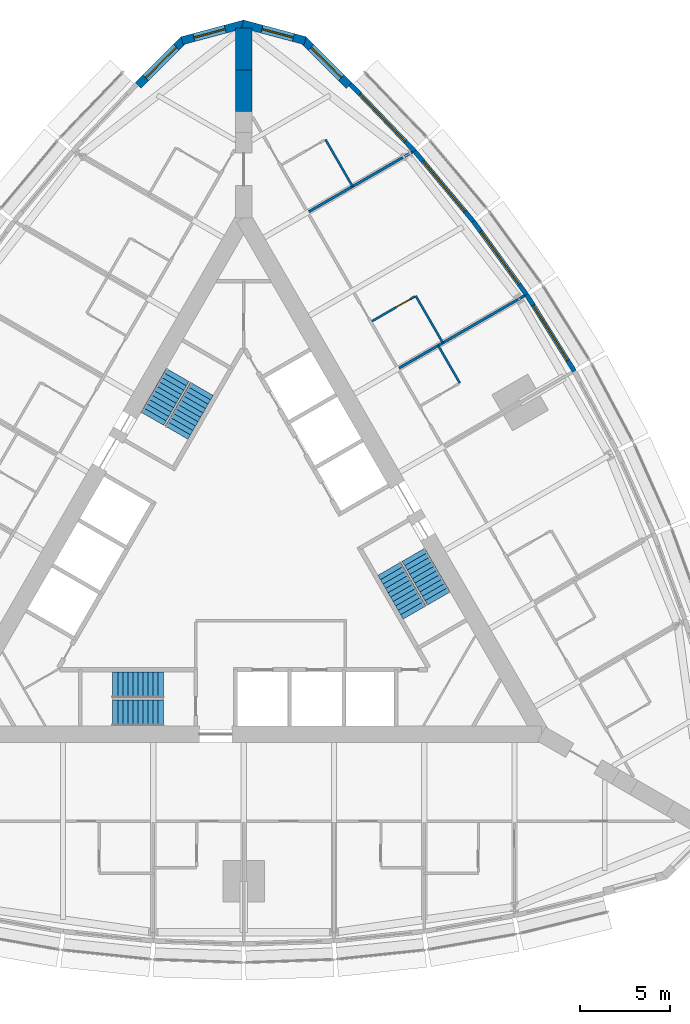
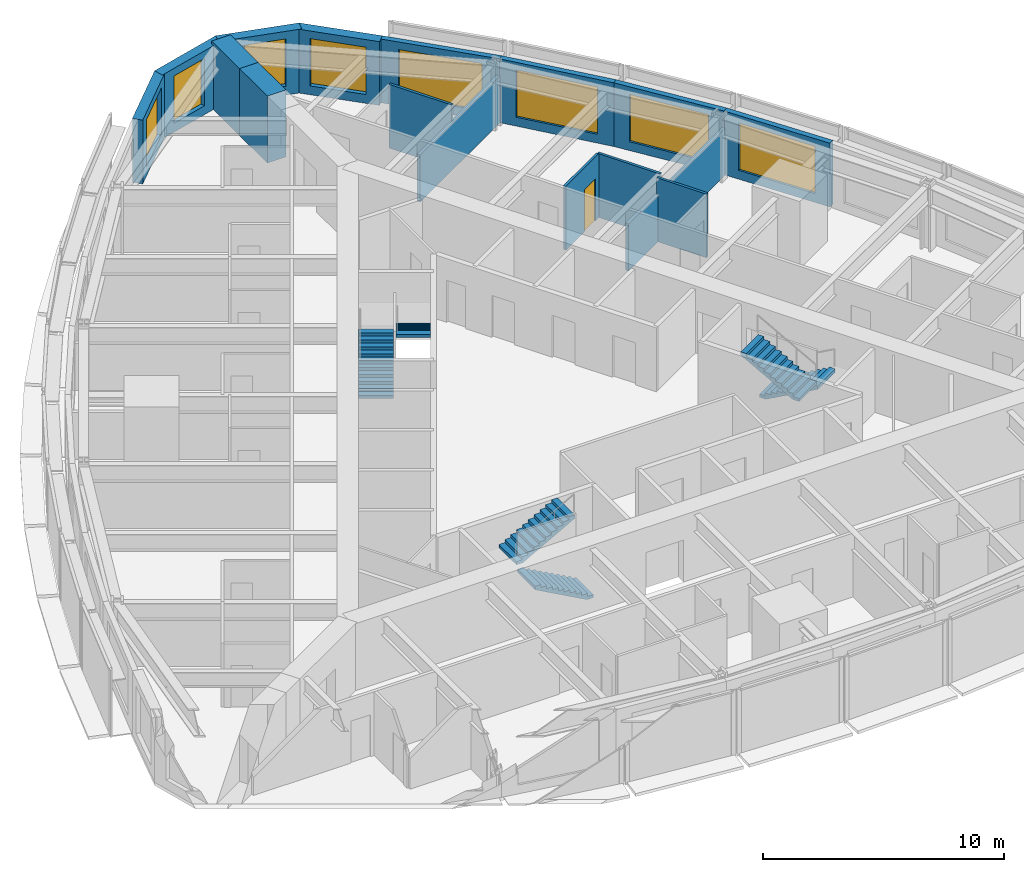
# One storey, part 13 of 14: 16 walls, 8 windows, 6 stair flights, 1 door, 9 openings, 3 elements without a shape of their own.
"""IFC4 building model written with IfcOpenShell, lengths in metres."""

from ifc_helpers import new_model, si_unit, direction, frame, frame_2d, origin, place, context, subcontext, project, spatial, polyline, rectangle, outline, extrude, material, layer, layer_set, type_object, element, fill, aggregate, save


model = new_model("IFC4")

# Units and contexts
model_context = context("Model", 3, precision=1e-05, world=origin(), true_north=direction((0.0, 1.0)))
body_context = subcontext(model_context, "Body", "Model", "MODEL_VIEW")
ifc_project = project(units=[si_unit("LENGTHUNIT", "METRE"), si_unit("AREAUNIT", "SQUARE_METRE"), si_unit("VOLUMEUNIT", "CUBIC_METRE"), si_unit("PLANEANGLEUNIT", "RADIAN"), si_unit("MASSUNIT", "GRAM", prefix="KILO")], contexts=[model_context])

# Site, building, storey
site_placement = place(None, origin())
site = spatial("IfcSite", under=ifc_project, at=site_placement, CompositionType="ELEMENT")
building_placement = place(site_placement, origin())
building = spatial("IfcBuilding", under=site, at=building_placement, Name="Trikona Tower", CompositionType="ELEMENT")
storey_placement = place(building_placement, frame((0.0, 0.0, 128.300048828125)))
storey = spatial("IfcBuildingStorey", under=building, at=storey_placement, Name="L33", CompositionType="ELEMENT", Elevation=128.300048828125)

# Walls
ifc_material_1 = material(Name="Metal stud and cement board", Category="gypsum")
ifc_layer_1 = layer(ifc_material_1, 0.1201171875)
ifc_layer_set_1 = layer_set([ifc_layer_1], Name="Bathroom wall 120")
wall_type_1 = type_object("IfcWallType", Name="Bathroom wall 120", PredefinedType="PLUMBINGWALL", material=ifc_layer_set_1)
wall_1_placement = place(storey_placement, frame((11.972900390625, 9.914794921875, 0.0), z_axis=(0.0, 0.0, 1.0), x_axis=(-0.499957262057, 0.866050077142, 0.0)))
element("IfcWall", 1, at=wall_1_placement, inside=storey, type_object=wall_type_1, Name="Bathroom wall 3309", PredefinedType="PLUMBINGWALL", context=body_context, shape_type="SweptSolid", body=[
    extrude(rectangle(XDim=2.400146484375, YDim=0.1201171875, at=frame_2d((1.2001953125, 0.0))), origin(), (0.0, 0.0, 1.0), 3.23486328125),
])
wall_2_placement = place(storey_placement, frame((11.03271484375, 12.143310546875, 0.0), z_axis=(0.0, 0.0, 1.0), x_axis=(-0.50002537861, 0.866010750942, 0.0)))
element("IfcWall", 2, at=wall_2_placement, inside=storey, type_object=wall_type_1, Name="Bathroom wall 3310", PredefinedType="PLUMBINGWALL", context=body_context, shape_type="SweptSolid", body=[
    extrude(rectangle(XDim=2.999755859375, YDim=0.1201171875, at=frame_2d((1.5, 0.0))), origin(), (0.0, 0.0, 1.0), 3.23486328125),
])

# Wall, opening, door
wall_3_placement = place(storey_placement, frame((7.10791015625, 13.34130859375, 0.0), z_axis=(0.0, 0.0, 1.0), x_axis=(0.866035715982, 0.499982138324, 0.0)))
wall_3 = element("IfcWall", 3, at=wall_3_placement, inside=storey, type_object=wall_type_1, Name="Bathroom wall 3310", PredefinedType="PLUMBINGWALL", context=body_context, shape_type="SweptSolid", body=[
    extrude(rectangle(XDim=2.73974609375, YDim=0.1201171875, at=frame_2d((1.369873046875, 0.0))), origin(), (0.0, 0.0, 1.0), 3.23486328125),
])
opening_1_placement = place(wall_3_placement, frame((1.550048828125, 0.0, 0.0)))
opening_1 = element("IfcOpeningElement", 4, at=opening_1_placement, cuts=wall_3, Name="Opening D2", PredefinedType="OPENING", context=body_context, shape_type="SweptSolid", body=[
    extrude(rectangle(XDim=0.89990234375, YDim=2.1298828125, at=frame_2d((0.449951171875, 1.06494140625))), frame((0.0, 0.070068359375, 0.0), z_axis=(0.0, -1.0, 0.0), x_axis=(1.0, 0.0, 0.0)), (0.0, 0.0, 1.0), 0.14013671875),
])
ifc_material_2 = material(Name="Steel door frame with solid-core timber leaf", Category="steel")
door_type = type_object("IfcDoorType", Name="Bathroom door 900x2130", OperationType="SLIDING_TO_LEFT", PredefinedType="DOOR", material=ifc_material_2)
door_placement = place(opening_1_placement, origin())
door = element("IfcDoor", 5, at=door_placement, inside=storey, type_object=door_type, Name="Bathroom door 3310", OperationType="SLIDING_TO_LEFT", OverallHeight=2.1298828125, OverallWidth=0.89990234375, PredefinedType="DOOR", context=body_context, shape_type="SweptSolid", body=[
    extrude(rectangle(XDim=0.89990234375, YDim=2.1298828125, at=frame_2d((0.449951171875, 1.06494140625))), frame((0.0, 0.02490234375, 0.0), z_axis=(0.0, -1.0, 0.0), x_axis=(1.0, 0.0, 0.0)), (0.0, 0.0, 1.0), 0.050048828125),
])
fill(opening_1, door)

# Wall
wall_4_placement = place(storey_placement, frame((6.03271484375, 20.803466796875, 0.0), z_axis=(0.0, 0.0, 1.0), x_axis=(-0.499990139034, 0.866031096941, 0.0)))
element("IfcWall", 6, at=wall_4_placement, inside=storey, type_object=wall_type_1, Name="Bathroom wall 3311", PredefinedType="PLUMBINGWALL", context=body_context, shape_type="SweptSolid", body=[
    extrude(rectangle(XDim=3.0, YDim=0.1201171875, at=frame_2d((1.5, 0.0))), origin(), (0.0, 0.0, 1.0), 3.23486328125),
])

# Wall, opening, window
ifc_material_3 = material(Name="Brick-faced precast concrete", Category="masonry")
ifc_layer_2 = layer(ifc_material_3, 0.449951171875)
ifc_layer_set_2 = layer_set([ifc_layer_2], Name="Brick-faced corner wall 450")
wall_type_2 = type_object("IfcWallType", Name="Brick-faced corner wall 450", PredefinedType="SOLIDWALL", material=ifc_layer_set_2)
wall_5_placement = place(storey_placement, frame((5.8408203125, 26.39892578125, 0.0), z_axis=(0.0, 0.0, 1.0), x_axis=(-0.707106781187, 0.707106781187, 0.0)))
wall_5 = element("IfcWall", 7, at=wall_5_placement, inside=storey, type_object=wall_type_2, Name="External wall L33-20", PredefinedType="SOLIDWALL", context=body_context, shape_type="SweptSolid", body=[
    extrude(rectangle(XDim=3.586181640625, YDim=0.449951171875, at=frame_2d((1.79296875, 0.0))), origin(), (0.0, 0.0, 1.0), 3.23486328125),
])
opening_2_placement = place(wall_5_placement, frame((0.59326171875, 0.0, 0.449951171875)))
opening_2 = element("IfcOpeningElement", 8, at=opening_2_placement, cuts=wall_5, Name="Opening W2424", PredefinedType="OPENING", context=body_context, shape_type="SweptSolid", body=[
    extrude(rectangle(XDim=2.39990234375, YDim=2.39990234375, at=frame_2d((1.199951171875, 1.199951171875))), frame((0.0, 0.23486328125, 0.0), z_axis=(0.0, -1.0, 0.0), x_axis=(1.0, 0.0, 0.0)), (0.0, 0.0, 1.0), 0.469970703125),
])
ifc_material_4 = material(Name="Aluminium-framed double glazing", Category="aluminium")
window_type_1 = type_object("IfcWindowType", Name="Window 2400x2400", PartitioningType="SINGLE_PANEL", PredefinedType="WINDOW", material=ifc_material_4)
window_1_placement = place(opening_2_placement, origin())
window_1 = element("IfcWindow", 9, at=window_1_placement, inside=storey, type_object=window_type_1, Name="Window 3311", OverallHeight=2.39990234375, OverallWidth=2.39990234375, PartitioningType="SINGLE_PANEL", PredefinedType="WINDOW", context=body_context, shape_type="SweptSolid", body=[
    extrude(rectangle(XDim=2.39990234375, YDim=2.39990234375, at=frame_2d((1.199951171875, 1.199951171875))), frame((0.0, 0.030029296875, 0.0), z_axis=(0.0, -1.0, 0.0), x_axis=(1.0, 0.0, 0.0)), (0.0, 0.0, 1.0), 0.06005859375),
])
fill(opening_2, window_1)

wall_6_placement = place(storey_placement, frame((3.406005859375, 28.876708984375, 0.0), z_axis=(0.0, 0.0, 1.0), x_axis=(-0.965924653531, 0.258823421857, 0.0)))
wall_6 = element("IfcWall", 10, at=wall_6_placement, inside=storey, type_object=wall_type_2, Name="External wall L33-21", PredefinedType="SOLIDWALL", context=body_context, shape_type="SweptSolid", body=[
    extrude(outline(polyline([(3.58642578125, 0.22509765625), (3.526611328125, 0.22509765625), (3.035400390625, 0.09326171875), (3.0, 0.22509765625), (0.0, 0.22509765625), (0.0, -0.22509765625), (3.58642578125, -0.22509765625), (3.58642578125, 0.22509765625)])), origin(), (0.0, 0.0, 1.0), 3.23486328125),
])
opening_3_placement = place(wall_6_placement, frame((0.6748046875, 0.0, 0.449951171875)))
opening_3 = element("IfcOpeningElement", 11, at=opening_3_placement, cuts=wall_6, Name="Opening W1824", PredefinedType="OPENING", context=body_context, shape_type="SweptSolid", body=[
    extrude(rectangle(XDim=1.800048828125, YDim=2.39990234375, at=frame_2d((0.89990234375, 1.199951171875))), frame((0.0, 0.23486328125, 0.0), z_axis=(0.0, -1.0, 0.0), x_axis=(1.0, 0.0, 0.0)), (0.0, 0.0, 1.0), 0.469970703125),
])
ifc_material_5 = material(Name="Aluminium-framed double glazing", Category="aluminium")
window_type_2 = type_object("IfcWindowType", Name="Window 1800x2400", PartitioningType="SINGLE_PANEL", PredefinedType="WINDOW", material=ifc_material_5)
window_2_placement = place(opening_3_placement, origin())
window_2 = element("IfcWindow", 12, at=window_2_placement, inside=storey, type_object=window_type_2, Name="Window 3311", OverallHeight=2.39990234375, OverallWidth=1.800048828125, PartitioningType="SINGLE_PANEL", PredefinedType="WINDOW", context=body_context, shape_type="SweptSolid", body=[
    extrude(rectangle(XDim=1.800048828125, YDim=2.39990234375, at=frame_2d((0.89990234375, 1.199951171875))), frame((0.0, 0.030029296875, 0.0), z_axis=(0.0, -1.0, 0.0), x_axis=(1.0, 0.0, 0.0)), (0.0, 0.0, 1.0), 0.06005859375),
])
fill(opening_3, window_2)

wall_7_placement = place(storey_placement, frame((0.05810546875, 29.804931640625, 0.0), z_axis=(0.0, 0.0, 1.0), x_axis=(-0.965924653531, -0.258823421857, 0.0)))
wall_7 = element("IfcWall", 13, at=wall_7_placement, inside=storey, type_object=wall_type_2, Name="External wall L33-22", PredefinedType="SOLIDWALL", context=body_context, shape_type="SweptSolid", body=[
    extrude(outline(polyline([(3.58642578125, 0.22509765625), (0.58642578125, 0.22509765625), (0.551025390625, 0.09326171875), (0.0595703125, 0.22509765625), (0.0, 0.22509765625), (0.0, -0.22509765625), (3.58642578125, -0.22509765625), (3.58642578125, 0.22509765625)])), origin(), (0.0, 0.0, 1.0), 3.23486328125),
])
opening_4_placement = place(wall_7_placement, frame((1.111328125, 0.0, 0.449951171875)))
opening_4 = element("IfcOpeningElement", 14, at=opening_4_placement, cuts=wall_7, Name="Opening W1824", PredefinedType="OPENING", context=body_context, shape_type="SweptSolid", body=[
    extrude(rectangle(XDim=1.800048828125, YDim=2.39990234375, at=frame_2d((0.89990234375, 1.199951171875))), frame((0.0, 0.23486328125, 0.0), z_axis=(0.0, -1.0, 0.0), x_axis=(1.0, 0.0, 0.0)), (0.0, 0.0, 1.0), 0.469970703125),
])
window_3_placement = place(opening_4_placement, origin())
window_3 = element("IfcWindow", 15, at=window_3_placement, inside=storey, type_object=window_type_2, Name="Window 3312", OverallHeight=2.39990234375, OverallWidth=1.800048828125, PartitioningType="SINGLE_PANEL", PredefinedType="WINDOW", context=body_context, shape_type="SweptSolid", body=[
    extrude(rectangle(XDim=1.800048828125, YDim=2.39990234375, at=frame_2d((0.89990234375, 1.199951171875))), frame((0.0, 0.030029296875, 0.0), z_axis=(0.0, -1.0, 0.0), x_axis=(1.0, 0.0, 0.0)), (0.0, 0.0, 1.0), 0.06005859375),
])
fill(opening_4, window_3)

wall_8_placement = place(storey_placement, frame((-3.304931640625, 28.934814453125, 0.0), z_axis=(0.0, 0.0, 1.0), x_axis=(-0.707106781187, -0.707106781187, 0.0)))
wall_8 = element("IfcWall", 16, at=wall_8_placement, inside=storey, type_object=wall_type_2, Name="External wall L33-23", PredefinedType="SOLIDWALL", context=body_context, shape_type="SweptSolid", body=[
    extrude(rectangle(XDim=3.586181640625, YDim=0.449951171875, at=frame_2d((1.79296875, 0.0))), origin(), (0.0, 0.0, 1.0), 3.23486328125),
])
opening_5_placement = place(wall_8_placement, frame((0.59326171875, 0.0, 0.449951171875)))
opening_5 = element("IfcOpeningElement", 17, at=opening_5_placement, cuts=wall_8, Name="Opening W2424", PredefinedType="OPENING", context=body_context, shape_type="SweptSolid", body=[
    extrude(rectangle(XDim=2.39990234375, YDim=2.39990234375, at=frame_2d((1.199951171875, 1.199951171875))), frame((0.0, 0.23486328125, 0.0), z_axis=(0.0, -1.0, 0.0), x_axis=(1.0, 0.0, 0.0)), (0.0, 0.0, 1.0), 0.469970703125),
])
window_4_placement = place(opening_5_placement, origin())
window_4 = element("IfcWindow", 18, at=window_4_placement, inside=storey, type_object=window_type_1, Name="Window 3312", OverallHeight=2.39990234375, OverallWidth=2.39990234375, PartitioningType="SINGLE_PANEL", PredefinedType="WINDOW", context=body_context, shape_type="SweptSolid", body=[
    extrude(rectangle(XDim=2.39990234375, YDim=2.39990234375, at=frame_2d((1.199951171875, 1.199951171875))), frame((0.0, 0.030029296875, 0.0), z_axis=(0.0, -1.0, 0.0), x_axis=(1.0, 0.0, 0.0)), (0.0, 0.0, 1.0), 0.06005859375),
])
fill(opening_5, window_4)

# Walls
ifc_material_6 = material(Name="Concrete f'c 10000 psi", Category="concrete")
ifc_layer_3 = layer(ifc_material_6, 0.89990234375)
ifc_layer_set_3 = layer_set([ifc_layer_3], Name="Buttress wall 900")
wall_type_3 = type_object("IfcWallType", Name="Buttress wall 900", PredefinedType="SHEAR", material=ifc_layer_set_3)
wall_9_placement = place(storey_placement, frame((0.0, 24.953369140625, 0.0), z_axis=(0.0, 0.0, 1.0), x_axis=(0.0, 1.0, 0.0)))
element("IfcWall", 19, at=wall_9_placement, inside=storey, type_object=wall_type_3, Name="Buttress wall 2 part 3", PredefinedType="SHEAR", context=body_context, shape_type="SweptSolid", body=[
    extrude(rectangle(XDim=2.309326171875, YDim=0.89990234375, at=frame_2d((1.15478515625, 0.0))), origin(), (0.0, 0.0, 1.0), 3.39990234375),
])
wall_10_placement = place(storey_placement, frame((0.0, 27.2626953125, 0.0), z_axis=(0.0, 0.0, 1.0), x_axis=(0.0, 1.0, 0.0)))
element("IfcWall", 20, at=wall_10_placement, inside=storey, type_object=wall_type_3, Name="Buttress wall 2 part 4", PredefinedType="SHEAR", context=body_context, shape_type="SweptSolid", body=[
    extrude(rectangle(XDim=2.3095703125, YDim=0.89990234375, at=frame_2d((1.15478515625, 0.0))), origin(), (0.0, 0.0, 1.0), 3.39990234375),
])

# Wall, opening, window
ifc_material_7 = material(Name="Insulated precast concrete spandrel panel", Category="concrete")
ifc_layer_4 = layer(ifc_material_7, 0.25)
ifc_layer_set_4 = layer_set([ifc_layer_4], Name="Inner skin wall 250")
wall_type_4 = type_object("IfcWallType", Name="Inner skin wall 250", PredefinedType="STANDARD", material=ifc_layer_set_4)
wall_11_placement = place(storey_placement, frame((18.31884765625, 10.5712890625, 0.0), z_axis=(0.0, 0.0, 1.0), x_axis=(-0.529990167382, 0.84800378683, 0.0)))
wall_11 = element("IfcWall", 21, at=wall_11_placement, inside=storey, type_object=wall_type_4, Name="External wall L33-16", PredefinedType="STANDARD", context=body_context, shape_type="SweptSolid", body=[
    extrude(rectangle(XDim=5.003173828125, YDim=0.25, at=frame_2d((2.50146484375, 0.0))), origin(), (0.0, 0.0, 1.0), 3.23486328125),
])
opening_6_placement = place(wall_11_placement, frame((0.701416015625, 0.0, 0.449951171875)))
opening_6 = element("IfcOpeningElement", 22, at=opening_6_placement, cuts=wall_11, Name="Opening W3624", PredefinedType="OPENING", context=body_context, shape_type="SweptSolid", body=[
    extrude(rectangle(XDim=3.60009765625, YDim=2.39990234375, at=frame_2d((1.800048828125, 1.199951171875))), frame((0.0, 0.135009765625, 0.0), z_axis=(0.0, -1.0, 0.0), x_axis=(1.0, 0.0, 0.0)), (0.0, 0.0, 1.0), 0.27001953125),
])
ifc_material_8 = material(Name="Aluminium-framed double glazing", Category="aluminium")
window_type_3 = type_object("IfcWindowType", Name="Window 3600x2400", PartitioningType="SINGLE_PANEL", PredefinedType="WINDOW", material=ifc_material_8)
window_5_placement = place(opening_6_placement, origin())
window_5 = element("IfcWindow", 23, at=window_5_placement, inside=storey, type_object=window_type_3, Name="Window 3309", OverallHeight=2.39990234375, OverallWidth=3.60009765625, PartitioningType="SINGLE_PANEL", PredefinedType="WINDOW", context=body_context, shape_type="SweptSolid", body=[
    extrude(rectangle(XDim=3.60009765625, YDim=2.39990234375, at=frame_2d((1.800048828125, 1.199951171875))), frame((0.0, 0.030029296875, 0.0), z_axis=(0.0, -1.0, 0.0), x_axis=(1.0, 0.0, 0.0)), (0.0, 0.0, 1.0), 0.06005859375),
])
fill(opening_6, window_5)

wall_12_placement = place(storey_placement, frame((15.672119140625, 14.806640625, 0.0), z_axis=(0.0, 0.0, 1.0), x_axis=(-0.587669188412, 0.809101307001, 0.0)))
wall_12 = element("IfcWall", 24, at=wall_12_placement, inside=storey, type_object=wall_type_4, Name="External wall L33-17", PredefinedType="STANDARD", context=body_context, shape_type="SweptSolid", body=[
    extrude(rectangle(XDim=5.027587890625, YDim=0.25, at=frame_2d((2.513671875, 0.0))), origin(), (0.0, 0.0, 1.0), 3.23486328125),
])
opening_7_placement = place(wall_12_placement, frame((0.7138671875, 0.0, 0.449951171875)))
opening_7 = element("IfcOpeningElement", 25, at=opening_7_placement, cuts=wall_12, Name="Opening W3624", PredefinedType="OPENING", context=body_context, shape_type="SweptSolid", body=[
    extrude(rectangle(XDim=3.60009765625, YDim=2.39990234375, at=frame_2d((1.800048828125, 1.199951171875))), frame((0.0, 0.135009765625, 0.0), z_axis=(0.0, -1.0, 0.0), x_axis=(1.0, 0.0, 0.0)), (0.0, 0.0, 1.0), 0.27001953125),
])
window_6_placement = place(opening_7_placement, origin())
window_6 = element("IfcWindow", 26, at=window_6_placement, inside=storey, type_object=window_type_3, Name="Window 3310", OverallHeight=2.39990234375, OverallWidth=3.60009765625, PartitioningType="SINGLE_PANEL", PredefinedType="WINDOW", context=body_context, shape_type="SweptSolid", body=[
    extrude(rectangle(XDim=3.60009765625, YDim=2.39990234375, at=frame_2d((1.800048828125, 1.199951171875))), frame((0.0, 0.030029296875, 0.0), z_axis=(0.0, -1.0, 0.0), x_axis=(1.0, 0.0, 0.0)), (0.0, 0.0, 1.0), 0.06005859375),
])
fill(opening_7, window_6)

wall_13_placement = place(storey_placement, frame((12.722900390625, 18.86767578125, 0.0), z_axis=(0.0, 0.0, 1.0), x_axis=(-0.641810386606, 0.766863369607, 0.0)))
wall_13 = element("IfcWall", 27, at=wall_13_placement, inside=storey, type_object=wall_type_4, Name="External wall L33-18", PredefinedType="STANDARD", context=body_context, shape_type="SweptSolid", body=[
    extrude(rectangle(XDim=5.075927734375, YDim=0.25, at=frame_2d((2.5380859375, 0.0))), origin(), (0.0, 0.0, 1.0), 3.23486328125),
])
opening_8_placement = place(wall_13_placement, frame((0.738037109375, 0.0, 0.449951171875)))
opening_8 = element("IfcOpeningElement", 28, at=opening_8_placement, cuts=wall_13, Name="Opening W3624", PredefinedType="OPENING", context=body_context, shape_type="SweptSolid", body=[
    extrude(rectangle(XDim=3.60009765625, YDim=2.39990234375, at=frame_2d((1.800048828125, 1.199951171875))), frame((0.0, 0.135009765625, 0.0), z_axis=(0.0, -1.0, 0.0), x_axis=(1.0, 0.0, 0.0)), (0.0, 0.0, 1.0), 0.27001953125),
])
window_7_placement = place(opening_8_placement, origin())
window_7 = element("IfcWindow", 29, at=window_7_placement, inside=storey, type_object=window_type_3, Name="Window 3310", OverallHeight=2.39990234375, OverallWidth=3.60009765625, PartitioningType="SINGLE_PANEL", PredefinedType="WINDOW", context=body_context, shape_type="SweptSolid", body=[
    extrude(rectangle(XDim=3.60009765625, YDim=2.39990234375, at=frame_2d((1.800048828125, 1.199951171875))), frame((0.0, 0.030029296875, 0.0), z_axis=(0.0, -1.0, 0.0), x_axis=(1.0, 0.0, 0.0)), (0.0, 0.0, 1.0), 0.06005859375),
])
fill(opening_8, window_7)

wall_14_placement = place(storey_placement, frame((9.470703125, 22.75390625, 0.0), z_axis=(0.0, 0.0, 1.0), x_axis=(-0.691719937936, 0.722165858693, 0.0)))
wall_14 = element("IfcWall", 30, at=wall_14_placement, inside=storey, type_object=wall_type_4, Name="External wall L33-19", PredefinedType="STANDARD", context=body_context, shape_type="SweptSolid", body=[
    extrude(rectangle(XDim=5.148193359375, YDim=0.25, at=frame_2d((2.57421875, 0.0))), origin(), (0.0, 0.0, 1.0), 3.23486328125),
])
opening_9_placement = place(wall_14_placement, frame((0.77392578125, 0.0, 0.449951171875)))
opening_9 = element("IfcOpeningElement", 31, at=opening_9_placement, cuts=wall_14, Name="Opening W3624", PredefinedType="OPENING", context=body_context, shape_type="SweptSolid", body=[
    extrude(rectangle(XDim=3.60009765625, YDim=2.39990234375, at=frame_2d((1.800048828125, 1.199951171875))), frame((0.0, 0.135009765625, 0.0), z_axis=(0.0, -1.0, 0.0), x_axis=(1.0, 0.0, 0.0)), (0.0, 0.0, 1.0), 0.27001953125),
])
window_8_placement = place(opening_9_placement, origin())
window_8 = element("IfcWindow", 32, at=window_8_placement, inside=storey, type_object=window_type_3, Name="Window 3311", OverallHeight=2.39990234375, OverallWidth=3.60009765625, PartitioningType="SINGLE_PANEL", PredefinedType="WINDOW", context=body_context, shape_type="SweptSolid", body=[
    extrude(rectangle(XDim=3.60009765625, YDim=2.39990234375, at=frame_2d((1.800048828125, 1.199951171875))), frame((0.0, 0.030029296875, 0.0), z_axis=(0.0, -1.0, 0.0), x_axis=(1.0, 0.0, 0.0)), (0.0, 0.0, 1.0), 0.06005859375),
])
fill(opening_9, window_8)

# Walls
ifc_material_9 = material(Name="Metal stud and gypsum board, 1-hour acoustic", Category="gypsum")
ifc_layer_5 = layer(ifc_material_9, 0.14990234375)
ifc_layer_set_5 = layer_set([ifc_layer_5], Name="Party wall 150")
wall_type_5 = type_object("IfcWallType", Name="Party wall 150", PredefinedType="PARTITIONING", material=ifc_layer_set_5)
wall_15_placement = place(storey_placement, frame((8.60791015625, 10.743408203125, 0.0), z_axis=(0.0, 0.0, 1.0), x_axis=(0.866041663918, 0.499971835565, 0.0)))
element("IfcWall", 33, at=wall_15_placement, inside=storey, type_object=wall_type_5, Name="Partition L33 F2 u5", PredefinedType="PARTITIONING", context=body_context, shape_type="SweptSolid", body=[
    extrude(rectangle(XDim=8.0224609375, YDim=0.14990234375, at=frame_2d((4.01123046875, 0.0))), origin(), (0.0, 0.0, 1.0), 2.38916015625),
])
wall_16_placement = place(storey_placement, frame((3.60791015625, 19.403564453125, 0.0), z_axis=(0.0, 0.0, 1.0), x_axis=(0.866015989873, 0.500016305018, 0.0)))
element("IfcWall", 34, at=wall_16_placement, inside=storey, type_object=wall_type_5, Name="Partition L33 F2 u15", PredefinedType="PARTITIONING", context=body_context, shape_type="SweptSolid", body=[
    extrude(rectangle(XDim=6.616455078125, YDim=0.14990234375, at=frame_2d((3.30810546875, 0.0))), origin(), (0.0, 0.0, 1.0), 2.38916015625),
])

# Stair, stair flights
ifc_material_10 = material(Name="Concrete f'c 5000 psi", Category="concrete")
stair_type = type_object("IfcStairType", Name="Core stair", PredefinedType="HALF_TURN_STAIR", material=ifc_material_10)
stair_1_placement = place(storey_placement, origin())
stair_1 = element("IfcStair", 35, at=stair_1_placement, inside=storey, type_object=stair_type, Name="Stair A L33", PredefinedType="HALF_TURN_STAIR")
ifc_material_11 = material(Name="Concrete f'c 5000 psi", Category="concrete")
stair_flight_type = type_object("IfcStairFlightType", Name="Core stair flight 1450", PredefinedType="STRAIGHT", material=ifc_material_11)
stair_flight_1_placement = place(storey_placement, frame((-4.449951171875, -8.351318359375, 0.0), z_axis=(0.0, 0.0, 1.0), x_axis=(-1.0, 0.0, 0.0)))
stair_flight_1 = element("IfcStairFlight", 36, at=stair_flight_1_placement, type_object=stair_flight_type, Name="ST-A flight 1", NumberOfRisers=11, NumberOfTreads=10, PredefinedType="STRAIGHT", RiserHeight=0.154545, TreadLength=0.28, context=body_context, shape_type="SweptSolid", body=[
    extrude(outline(polyline([(0.0, 0.0), (0.0, 0.154541015625), (0.280029296875, 0.154541015625), (0.280029296875, 0.30908203125), (0.56005859375, 0.30908203125), (0.56005859375, 0.463623046875), (0.840087890625, 0.463623046875), (0.840087890625, 0.6181640625), (1.1201171875, 0.6181640625), (1.1201171875, 0.772705078125), (1.39990234375, 0.772705078125), (1.39990234375, 0.92724609375), (1.679931640625, 0.92724609375), (1.679931640625, 1.081787109375), (1.9599609375, 1.081787109375), (1.9599609375, 1.236328125), (2.239990234375, 1.236328125), (2.239990234375, 1.390869140625), (2.52001953125, 1.390869140625), (2.52001953125, 1.54541015625), (2.800048828125, 1.54541015625), (2.800048828125, 1.699951171875), (2.800048828125, 1.374267578125), (0.310302734375, 0.0), (0.0, 0.0)])), frame((0.0, 0.72509765625, 0.0), z_axis=(0.0, -1.0, 0.0), x_axis=(1.0, 0.0, 0.0)), (0.0, 0.0, 1.0), 1.449951171875),
])
stair_flight_2_placement = place(storey_placement, frame((-7.25, -6.80126953125, 1.699951171875), z_axis=(0.0, 0.0, 1.0), x_axis=(1.0, 0.0, 0.0)))
stair_flight_2 = element("IfcStairFlight", 37, at=stair_flight_2_placement, type_object=stair_flight_type, Name="ST-A flight 2", NumberOfRisers=11, NumberOfTreads=10, PredefinedType="STRAIGHT", RiserHeight=0.154545, TreadLength=0.28, context=body_context, shape_type="SweptSolid", body=[
    extrude(outline(polyline([(0.0, 0.0), (0.0, 0.154541015625), (0.280029296875, 0.154541015625), (0.280029296875, 0.30908203125), (0.56005859375, 0.30908203125), (0.56005859375, 0.463623046875), (0.840087890625, 0.463623046875), (0.840087890625, 0.6181640625), (1.1201171875, 0.6181640625), (1.1201171875, 0.772705078125), (1.39990234375, 0.772705078125), (1.39990234375, 0.92724609375), (1.679931640625, 0.92724609375), (1.679931640625, 1.081787109375), (1.9599609375, 1.081787109375), (1.9599609375, 1.236328125), (2.239990234375, 1.236328125), (2.239990234375, 1.390869140625), (2.52001953125, 1.390869140625), (2.52001953125, 1.54541015625), (2.800048828125, 1.54541015625), (2.800048828125, 1.699951171875), (2.800048828125, 1.374267578125), (0.310302734375, 0.0), (0.0, 0.0)])), frame((0.0, 0.72509765625, 0.0), z_axis=(0.0, -1.0, 0.0), x_axis=(1.0, 0.0, 0.0)), (0.0, 0.0, 1.0), 1.449951171875),
])
aggregate(stair_1, [stair_flight_1, stair_flight_2])

stair_2_placement = place(storey_placement, origin())
stair_2 = element("IfcStair", 38, at=stair_2_placement, inside=storey, type_object=stair_type, Name="Stair B L33", PredefinedType="HALF_TURN_STAIR")
stair_flight_3_placement = place(storey_placement, frame((9.407470703125, 0.408447265625, 0.0), z_axis=(0.0, 0.0, 1.0), x_axis=(0.5, -0.866025403784, 0.0)))
stair_flight_3 = element("IfcStairFlight", 39, at=stair_flight_3_placement, type_object=stair_flight_type, Name="ST-B flight 1", NumberOfRisers=11, NumberOfTreads=10, PredefinedType="STRAIGHT", RiserHeight=0.154545, TreadLength=0.28, context=body_context, shape_type="SweptSolid", body=[
    extrude(outline(polyline([(0.0, 0.0), (0.0, 0.154541015625), (0.280029296875, 0.154541015625), (0.280029296875, 0.30908203125), (0.56005859375, 0.30908203125), (0.56005859375, 0.463623046875), (0.840087890625, 0.463623046875), (0.840087890625, 0.6181640625), (1.1201171875, 0.6181640625), (1.1201171875, 0.772705078125), (1.39990234375, 0.772705078125), (1.39990234375, 0.92724609375), (1.679931640625, 0.92724609375), (1.679931640625, 1.081787109375), (1.9599609375, 1.081787109375), (1.9599609375, 1.236328125), (2.239990234375, 1.236328125), (2.239990234375, 1.390869140625), (2.52001953125, 1.390869140625), (2.52001953125, 1.54541015625), (2.800048828125, 1.54541015625), (2.800048828125, 1.699951171875), (2.800048828125, 1.374267578125), (0.310302734375, 0.0), (0.0, 0.0)])), frame((0.0, 0.72509765625, 0.0), z_axis=(0.0, -1.0, 0.0), x_axis=(1.0, 0.0, 0.0)), (0.0, 0.0, 1.0), 1.449951171875),
])
stair_flight_4_placement = place(storey_placement, frame((9.465087890625, -2.79150390625, 1.699951171875), z_axis=(0.0, 0.0, 1.0), x_axis=(-0.5, 0.866025403784, 0.0)))
stair_flight_4 = element("IfcStairFlight", 40, at=stair_flight_4_placement, type_object=stair_flight_type, Name="ST-B flight 2", NumberOfRisers=11, NumberOfTreads=10, PredefinedType="STRAIGHT", RiserHeight=0.154545, TreadLength=0.28, context=body_context, shape_type="SweptSolid", body=[
    extrude(outline(polyline([(0.0, 0.0), (0.0, 0.154541015625), (0.280029296875, 0.154541015625), (0.280029296875, 0.30908203125), (0.56005859375, 0.30908203125), (0.56005859375, 0.463623046875), (0.840087890625, 0.463623046875), (0.840087890625, 0.6181640625), (1.1201171875, 0.6181640625), (1.1201171875, 0.772705078125), (1.39990234375, 0.772705078125), (1.39990234375, 0.92724609375), (1.679931640625, 0.92724609375), (1.679931640625, 1.081787109375), (1.9599609375, 1.081787109375), (1.9599609375, 1.236328125), (2.239990234375, 1.236328125), (2.239990234375, 1.390869140625), (2.52001953125, 1.390869140625), (2.52001953125, 1.54541015625), (2.800048828125, 1.54541015625), (2.800048828125, 1.699951171875), (2.800048828125, 1.374267578125), (0.310302734375, 0.0), (0.0, 0.0)])), frame((0.0, 0.72509765625, 0.0), z_axis=(0.0, -1.0, 0.0), x_axis=(1.0, 0.0, 0.0)), (0.0, 0.0, 1.0), 1.449951171875),
])
aggregate(stair_2, [stair_flight_3, stair_flight_4])

stair_3_placement = place(storey_placement, origin())
stair_3 = element("IfcStair", 41, at=stair_3_placement, inside=storey, type_object=stair_type, Name="Stair C L33", PredefinedType="HALF_TURN_STAIR")
stair_flight_5_placement = place(storey_placement, frame((-5.057373046875, 7.94287109375, 0.0), z_axis=(0.0, 0.0, 1.0), x_axis=(0.5, 0.866025403784, 0.0)))
stair_flight_5 = element("IfcStairFlight", 42, at=stair_flight_5_placement, type_object=stair_flight_type, Name="ST-C flight 1", NumberOfRisers=11, NumberOfTreads=10, PredefinedType="STRAIGHT", RiserHeight=0.154545, TreadLength=0.28, context=body_context, shape_type="SweptSolid", body=[
    extrude(outline(polyline([(0.0, 0.0), (0.0, 0.154541015625), (0.280029296875, 0.154541015625), (0.280029296875, 0.30908203125), (0.56005859375, 0.30908203125), (0.56005859375, 0.463623046875), (0.840087890625, 0.463623046875), (0.840087890625, 0.6181640625), (1.1201171875, 0.6181640625), (1.1201171875, 0.772705078125), (1.39990234375, 0.772705078125), (1.39990234375, 0.92724609375), (1.679931640625, 0.92724609375), (1.679931640625, 1.081787109375), (1.9599609375, 1.081787109375), (1.9599609375, 1.236328125), (2.239990234375, 1.236328125), (2.239990234375, 1.390869140625), (2.52001953125, 1.390869140625), (2.52001953125, 1.54541015625), (2.800048828125, 1.54541015625), (2.800048828125, 1.699951171875), (2.800048828125, 1.374267578125), (0.310302734375, 0.0), (0.0, 0.0)])), frame((0.0, 0.72509765625, 0.0), z_axis=(0.0, -1.0, 0.0), x_axis=(1.0, 0.0, 0.0)), (0.0, 0.0, 1.0), 1.449951171875),
])
stair_flight_6_placement = place(storey_placement, frame((-2.315185546875, 9.5927734375, 1.699951171875), z_axis=(0.0, 0.0, 1.0), x_axis=(-0.5, -0.866025403784, 0.0)))
stair_flight_6 = element("IfcStairFlight", 43, at=stair_flight_6_placement, type_object=stair_flight_type, Name="ST-C flight 2", NumberOfRisers=11, NumberOfTreads=10, PredefinedType="STRAIGHT", RiserHeight=0.154545, TreadLength=0.28, context=body_context, shape_type="SweptSolid", body=[
    extrude(outline(polyline([(0.0, 0.0), (0.0, 0.154541015625), (0.280029296875, 0.154541015625), (0.280029296875, 0.30908203125), (0.56005859375, 0.30908203125), (0.56005859375, 0.463623046875), (0.840087890625, 0.463623046875), (0.840087890625, 0.6181640625), (1.1201171875, 0.6181640625), (1.1201171875, 0.772705078125), (1.39990234375, 0.772705078125), (1.39990234375, 0.92724609375), (1.679931640625, 0.92724609375), (1.679931640625, 1.081787109375), (1.9599609375, 1.081787109375), (1.9599609375, 1.236328125), (2.239990234375, 1.236328125), (2.239990234375, 1.390869140625), (2.52001953125, 1.390869140625), (2.52001953125, 1.54541015625), (2.800048828125, 1.54541015625), (2.800048828125, 1.699951171875), (2.800048828125, 1.374267578125), (0.310302734375, 0.0), (0.0, 0.0)])), frame((0.0, 0.72509765625, 0.0), z_axis=(0.0, -1.0, 0.0), x_axis=(1.0, 0.0, 0.0)), (0.0, 0.0, 1.0), 1.449951171875),
])
aggregate(stair_3, [stair_flight_5, stair_flight_6])

save(model, "model.ifc")
